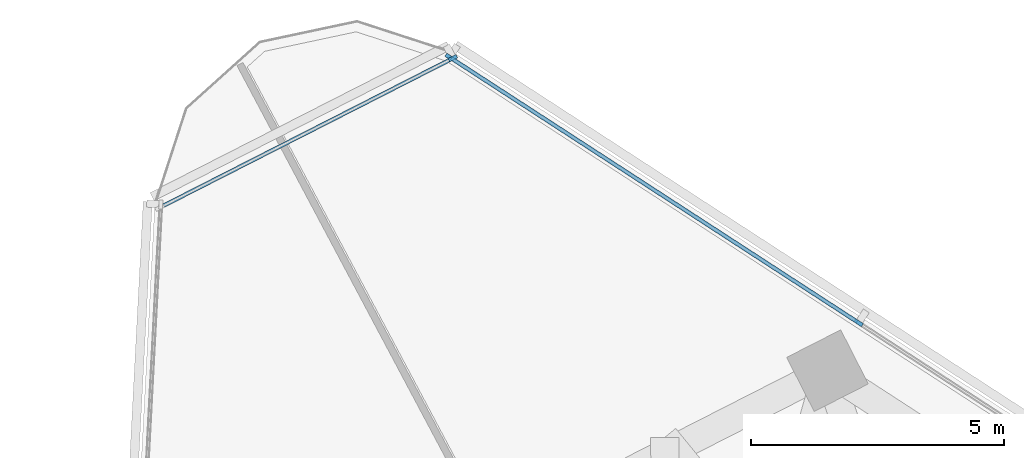
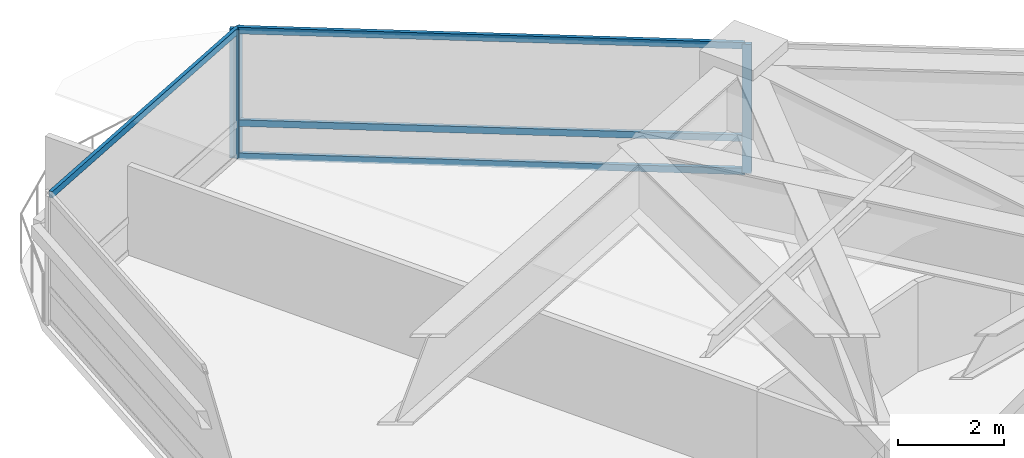
# One storey, part 6 of 15: 7 members, 2 elements without a shape of their own.
"""IFC4 building model written with IfcOpenShell, lengths in metres."""

import ifcopenshell
import ifcopenshell.guid

model = None  # the IFC model being written
_history = None  # IfcOwnerHistory: only IFC2X3 demands one
_inside = {}  # id of a spatial element -> (the spatial element, [elements in it])
_under = {}  # id of a project, library or spatial element -> (it, [spatial elements below it])
_declared = {}  # id of a project -> (the project, [libraries it declares])
_typed = {}  # id of a type object -> (the type object, [elements of that type])
_made_of = {}  # id of a material, layer set ... -> (it, [elements and type objects made of it])


def new_model(schema):
    """Start an empty IFC model of exactly this schema.

    Asked for "IFC4X3", IfcOpenShell would pick the latest addendum, in which some entities
    have other attributes; the version numbers below select the first issue.
    IFC2X3 requires an IfcOwnerHistory on every rooted entity: one is made here for all.
    """
    global model, _history
    if schema == "IFC4X3":
        model = ifcopenshell.file(schema_version=(4, 3, 0, 0))
    else:
        model = ifcopenshell.file(schema=schema)
    _inside.clear()
    _under.clear()
    _declared.clear()
    _typed.clear()
    _made_of.clear()
    _history = None
    if model.schema == "IFC2X3":
        org = make("IfcOrganization", Name="unknown")
        user = make(
            "IfcPersonAndOrganization",
            ThePerson=make("IfcPerson", FamilyName="unknown"),
            TheOrganization=org,
        )
        app = make(
            "IfcApplication",
            ApplicationDeveloper=org,
            Version="unknown",
            ApplicationFullName="unknown",
            ApplicationIdentifier="unknown",
        )
        _history = make(
            "IfcOwnerHistory",
            OwningUser=user,
            OwningApplication=app,
            ChangeAction="ADDED",
            CreationDate=0,
        )
    return model


def make(cls, **values):
    """One entity of the class cls with the attributes given. An attribute that is None is left unset."""
    return model.create_entity(
        cls, **{name: value for name, value in values.items() if value is not None}
    )


def rooted(cls, **values):
    """An entity with a GlobalId (a new one), such as an element, a storey or a relation."""
    return make(cls, GlobalId=ifcopenshell.guid.new(), OwnerHistory=_history, **values)


def si_unit(unit_type, name, prefix=None):
    """IfcSIUnit, for example si_unit("LENGTHUNIT", "METRE", prefix="MILLI")."""
    return make("IfcSIUnit", UnitType=unit_type, Prefix=prefix, Name=name)


def assignment(units):
    """IfcUnitAssignment: the units of a project."""
    return None if units is None else make("IfcUnitAssignment", Units=units)


def point(xyz):
    """IfcCartesianPoint."""
    return None if xyz is None else make("IfcCartesianPoint", Coordinates=xyz)


def direction(xyz):
    """IfcDirection."""
    return None if xyz is None else make("IfcDirection", DirectionRatios=xyz)


def frame(location, z_axis=None, x_axis=None):
    """IfcAxis2Placement3D, a coordinate frame: its origin and axes. An axis left out is left unset."""
    return make(
        "IfcAxis2Placement3D",
        Location=point(location),
        Axis=direction(z_axis),
        RefDirection=direction(x_axis),
    )


def frame_2d(location, x_axis=None):
    """IfcAxis2Placement2D, a coordinate frame in the plane: its origin and x axis."""
    return make(
        "IfcAxis2Placement2D", Location=point(location), RefDirection=direction(x_axis)
    )


def origin():
    """The frame at (0, 0, 0) with its axes left unset."""
    return frame((0.0, 0.0, 0.0))


def origin_2d():
    """The frame at (0, 0) in the plane with its x axis left unset."""
    return frame_2d((0.0, 0.0))


def place(relative_to, where):
    """IfcLocalPlacement: puts the frame where relative to a parent placement (None: the world)."""
    return make(
        "IfcLocalPlacement", PlacementRelTo=relative_to, RelativePlacement=where
    )


def context(
    kind, dimensions, precision=None, world=None, true_north=None, identifier=None
):
    """IfcGeometricRepresentationContext, for example the 3D "Model" context."""
    return make(
        "IfcGeometricRepresentationContext",
        ContextIdentifier=identifier,
        ContextType=kind,
        CoordinateSpaceDimension=dimensions,
        Precision=precision,
        WorldCoordinateSystem=world,
        TrueNorth=true_north,
    )


def subcontext(parent, identifier, kind, view, scale=None):
    """IfcGeometricRepresentationSubContext, for example "Body" below "Model"."""
    return make(
        "IfcGeometricRepresentationSubContext",
        ContextIdentifier=identifier,
        ContextType=kind,
        ParentContext=parent,
        TargetScale=scale,
        TargetView=view,
    )


def project(units=None, contexts=None):
    """IfcProject with its units and contexts."""
    return rooted(
        "IfcProject",
        Name="project",
        RepresentationContexts=contexts,
        UnitsInContext=assignment(units),
    )


def spatial(cls, under=None, at=None, **own):
    """A site, building, storey or space (cls), placed at a placement, below another one or the project."""
    s = rooted(cls, ObjectPlacement=at, **own)
    if under is not None:
        _under.setdefault(under.id(), (under, []))[1].append(s)
    return s


def profile(cls, at=None, kind="AREA", **sizes):
    """A parametric profile (cls). Its sizes go by their IFC names, for example OverallWidth=200.0."""
    return make(cls, ProfileType=kind, Position=at, **sizes)


def rectangle(**sizes):
    """IfcRectangleProfileDef."""
    return profile("IfcRectangleProfileDef", **sizes)


def extrude(swept, where, along, depth):
    """IfcExtrudedAreaSolid: the profile swept, set in the frame where, extruded along a direction by depth."""
    return make(
        "IfcExtrudedAreaSolid",
        SweptArea=swept,
        Position=where,
        ExtrudedDirection=direction(along),
        Depth=depth,
    )


def shape(context_of_items, identifier, shape_type, items):
    """IfcShapeRepresentation: the items that make up one representation, for example the "Body"."""
    return make(
        "IfcShapeRepresentation",
        ContextOfItems=context_of_items,
        RepresentationIdentifier=identifier,
        RepresentationType=shape_type,
        Items=items,
    )


def material(Name=None, Category=None):
    """IfcMaterial."""
    return make("IfcMaterial", Name=Name, Category=Category)


def layer(
    of_material, thickness, ventilated=None, Name=None, Category=None, Priority=None
):
    """IfcMaterialLayer: one layer of a wall or slab, of a material (None: an air gap)."""
    return make(
        "IfcMaterialLayer",
        Material=of_material,
        LayerThickness=thickness,
        IsVentilated=ventilated,
        Name=Name,
        Category=Category,
        Priority=Priority,
    )


def layer_set(layers, Name=None):
    """IfcMaterialLayerSet."""
    return make("IfcMaterialLayerSet", MaterialLayers=layers, LayerSetName=Name)


def material_profile(
    of_material, cross_section, Name=None, Category=None, Priority=None
):
    """IfcMaterialProfile: a cross section and its material."""
    return make(
        "IfcMaterialProfile",
        Name=Name,
        Material=of_material,
        Profile=cross_section,
        Priority=Priority,
        Category=Category,
    )


def profile_set(profiles, Name=None, composite=None):
    """IfcMaterialProfileSet."""
    return make(
        "IfcMaterialProfileSet",
        Name=Name,
        MaterialProfiles=profiles,
        CompositeProfile=composite,
    )


def made_of(thing, what):
    """Note that an element or type object is made of a material, layer set ...; save() writes the relation."""
    if what is not None:
        _made_of.setdefault(what.id(), (what, []))[1].append(thing)
    return thing


def type_object(cls, material=None, **own):
    """A type object (cls), such as IfcWallType, which elements share."""
    return made_of(rooted(cls, **own), material)


def element(
    cls,
    number,
    at=None,
    inside=None,
    cuts=None,
    type_object=None,
    material=None,
    context=None,
    identifier="Body",
    shape_type=None,
    held_by="IfcProductDefinitionShape",
    body=None,
    shapes=None,
    **own,
):
    """One element of the class cls, such as IfcWall. Its Tag is "e" and its number.

    at: its placement. inside: the storey or other place that contains it. cuts: it is an
    opening in that element (IfcRelVoidsElement). A single representation is given by context,
    identifier, shape_type and body (its items); several are given by shapes. held_by: the class
    of the entity that holds the representations. save() writes the other relations.
    """
    e = rooted(cls, Tag="e%d" % number, ObjectPlacement=at, **own)
    if body is not None:
        shapes = [shape(context, identifier, shape_type, body)]
    if shapes is not None:
        e.Representation = make(held_by, Representations=shapes)
    if inside is not None:
        _inside.setdefault(inside.id(), (inside, []))[1].append(e)
    if cuts is not None:
        rooted(
            "IfcRelVoidsElement", RelatingBuildingElement=cuts, RelatedOpeningElement=e
        )
    if type_object is not None:
        _typed.setdefault(type_object.id(), (type_object, []))[1].append(e)
    return made_of(e, material)


def aggregate(whole, parts):
    """IfcRelAggregates: a whole, such as a stair, and the parts it consists of."""
    return rooted("IfcRelAggregates", RelatingObject=whole, RelatedObjects=parts)


def save(model, path):
    """Write the relations noted so far, then the file.

    IfcRelAggregates (storeys below a building ...), IfcRelContainedInSpatialStructure (elements
    in a storey), IfcRelDefinesByType, IfcRelAssociatesMaterial and IfcRelDeclares: one each for
    every whole, place, type object, material and project.
    """
    for whole, parts in _under.values():
        aggregate(whole, parts)
    for where, things in _inside.values():
        rooted(
            "IfcRelContainedInSpatialStructure",
            RelatedElements=things,
            RelatingStructure=where,
        )
    for kind, things in _typed.values():
        rooted("IfcRelDefinesByType", RelatedObjects=things, RelatingType=kind)
    for what, things in _made_of.values():
        rooted("IfcRelAssociatesMaterial", RelatedObjects=things, RelatingMaterial=what)
    for by, libraries in _declared.values():
        rooted("IfcRelDeclares", RelatingContext=by, RelatedDefinitions=libraries)
    model.write(path)


model = new_model("IFC4")

# Units and contexts
model_context = context("Model", 3, precision=1e-05, world=origin(), true_north=direction((0.0, 1.0)))
body_context = subcontext(model_context, "Body", "Model", "MODEL_VIEW")
ifc_project = project(units=[si_unit("LENGTHUNIT", "METRE"), si_unit("AREAUNIT", "SQUARE_METRE"), si_unit("VOLUMEUNIT", "CUBIC_METRE"), si_unit("PLANEANGLEUNIT", "RADIAN"), si_unit("MASSUNIT", "GRAM", prefix="KILO")], contexts=[model_context])

# Site, building, storey
site_placement = place(None, origin())
site = spatial("IfcSite", under=ifc_project, at=site_placement, CompositionType="ELEMENT")
building_placement = place(site_placement, origin())
building = spatial("IfcBuilding", under=site, at=building_placement, Name="Terralouvre Media Tower", CompositionType="ELEMENT")
storey_placement = place(building_placement, frame((0.0, 0.0, 145.800048828125)))
storey = spatial("IfcBuildingStorey", under=building, at=storey_placement, Name="L37", CompositionType="ELEMENT", Elevation=145.800048828125)

# Curtain wall, members
ifc_material_1 = material(Name="Low-iron laminated double glazing with solar-control coating", Category="glass")
ifc_layer_1 = layer(ifc_material_1, 0.1650390625, Name="Production Studio Tower Curtain Wall CW-03")
ifc_layer_set_1 = layer_set([ifc_layer_1], Name="Low-iron laminated double glazing with solar-control coating")
curtain_wall_type_1 = type_object("IfcCurtainWallType", Name="Production Studio Tower Curtain Wall CW-03", PredefinedType="NOTDEFINED", material=ifc_layer_set_1)
curtain_wall_1_placement = place(storey_placement, origin())
curtain_wall_1 = element("IfcCurtainWall", 1, at=curtain_wall_1_placement, inside=storey, type_object=curtain_wall_type_1, Name="L37 Facade Curtain Wall F1", PredefinedType="NOTDEFINED")
ifc_material_2 = material(Name="Anodised extruded aluminium 6063-T6", Category="aluminium")
ifc_material_profile_1 = material_profile(ifc_material_2, rectangle(XDim=0.074951171875, YDim=0.14990234375, at=origin_2d()), Name="ALU 75x150")
ifc_profile_set_1 = profile_set([ifc_material_profile_1], Name="Anodised extruded aluminium 6063-T6")
member_type_1 = type_object("IfcMemberType", Name="Curtain-Wall Horizontal Transom TR-150", PredefinedType="USERDEFINED", material=ifc_profile_set_1)
member_1_placement = place(storey_placement, frame((-2.594970703125, 22.732666015625, 0.037353515625), z_axis=(-0.838671492993, 0.544637610565, 0.0), x_axis=(-0.544637610565, -0.838671492993, 0.0)))
member_1 = element("IfcMember", 2, at=member_1_placement, type_object=member_type_1, Name="CW-03 transom 5.1", ObjectType="TRANSOM", PredefinedType="USERDEFINED", context=body_context, shape_type="SweptSolid", body=[
    extrude(rectangle(XDim=0.074951171875, YDim=0.14990234375, at=origin_2d()), origin(), (0.0, 0.0, 1.0), 9.567626953125),
])
member_2_placement = place(storey_placement, frame((-2.594970703125, 22.732666015625, 0.800048828125), z_axis=(-0.838671492993, 0.544637610565, 0.0), x_axis=(-0.544637610565, -0.838671492993, 0.0)))
member_2 = element("IfcMember", 3, at=member_2_placement, type_object=member_type_1, Name="CW-03 transom 5.2", ObjectType="TRANSOM", PredefinedType="USERDEFINED", context=body_context, shape_type="SweptSolid", body=[
    extrude(rectangle(XDim=0.074951171875, YDim=0.14990234375, at=origin_2d()), origin(), (0.0, 0.0, 1.0), 9.567626953125),
])
member_3_placement = place(storey_placement, frame((-2.594970703125, 22.732666015625, 2.92236328125), z_axis=(-0.838671492993, 0.544637610565, 0.0), x_axis=(-0.544637610565, -0.838671492993, 0.0)))
member_3 = element("IfcMember", 4, at=member_3_placement, type_object=member_type_1, Name="CW-03 transom 5.3", ObjectType="TRANSOM", PredefinedType="USERDEFINED", context=body_context, shape_type="SweptSolid", body=[
    extrude(rectangle(XDim=0.074951171875, YDim=0.14990234375, at=origin_2d()), origin(), (0.0, 0.0, 1.0), 9.567626953125),
])

# Curtain wall, member
ifc_material_3 = material(Name="Low-iron laminated double glazing with solar-control coating", Category="glass")
ifc_layer_2 = layer(ifc_material_3, 0.1650390625, Name="Rounded Wind-Corner Curved Glazing CW-04")
ifc_layer_set_2 = layer_set([ifc_layer_2], Name="Low-iron laminated double glazing with solar-control coating")
curtain_wall_type_2 = type_object("IfcCurtainWallType", Name="Rounded Wind-Corner Curved Glazing CW-04", PredefinedType="NOTDEFINED", material=ifc_layer_set_2)
curtain_wall_2_placement = place(storey_placement, origin())
curtain_wall_2 = element("IfcCurtainWall", 5, at=curtain_wall_2_placement, inside=storey, type_object=curtain_wall_type_2, Name="L37 Rounded Wind-Corner Curtain Wall C2", PredefinedType="NOTDEFINED")
member_4_placement = place(storey_placement, frame((-10.619873046875, 27.92626953125, 2.92236328125), z_axis=(-0.891007919555, -0.453987761167, 0.0), x_axis=(0.453987761167, -0.891007919555, 0.0)))
member_4 = element("IfcMember", 6, at=member_4_placement, type_object=member_type_1, Name="CW-04 transom 1.3", ObjectType="TRANSOM", PredefinedType="USERDEFINED", context=body_context, shape_type="SweptSolid", body=[
    extrude(rectangle(XDim=0.074951171875, YDim=0.14990234375, at=origin_2d()), origin(), (0.0, 0.0, 1.0), 6.431640625),
])

# Member
ifc_material_4 = material(Name="Anodised extruded aluminium 6063-T6", Category="aluminium")
ifc_material_profile_2 = material_profile(ifc_material_4, rectangle(XDim=0.074951171875, YDim=0.179931640625, at=origin_2d()), Name="ALU 75x180")
ifc_profile_set_2 = profile_set([ifc_material_profile_2], Name="Anodised extruded aluminium 6063-T6")
member_type_2 = type_object("IfcMemberType", Name="Curtain-Wall Vertical Mullion ML-180", PredefinedType="MULLION", material=ifc_profile_set_2)
member_5_placement = place(storey_placement, frame((-2.5634765625, 22.712158203125, 0.0), z_axis=(0.0, 0.0, 1.0), x_axis=(-0.544639002681, -0.838670588944, 0.0)))
member_5 = element("IfcMember", 7, at=member_5_placement, type_object=member_type_2, Name="CW-03 mullion 5", PredefinedType="MULLION", context=body_context, shape_type="SweptSolid", body=[
    extrude(rectangle(XDim=0.074951171875, YDim=0.179931640625, at=origin_2d()), origin(), (0.0, 0.0, 1.0), 2.9599609375),
])

member_6_placement = place(storey_placement, frame((-10.650390625, 27.9638671875, 0.0), z_axis=(0.0, 0.0, 1.0), x_axis=(-0.544639002681, -0.838670588944, 0.0)))
member_6 = element("IfcMember", 8, at=member_6_placement, type_object=member_type_2, Name="CW-03 mullion 6", PredefinedType="MULLION", context=body_context, shape_type="SweptSolid", body=[
    extrude(rectangle(XDim=0.074951171875, YDim=0.179931640625, at=origin_2d()), origin(), (0.0, 0.0, 1.0), 2.9599609375),
])

aggregate(curtain_wall_1, [member_5, member_6, member_1, member_2, member_3])

member_7_placement = place(storey_placement, frame((-10.58642578125, 27.943359375, 0.0), z_axis=(0.0, 0.0, 1.0), x_axis=(0.45399035059, -0.891006600184, 0.0)))
member_7 = element("IfcMember", 9, at=member_7_placement, type_object=member_type_2, Name="CW-04 mullion 1", PredefinedType="MULLION", context=body_context, shape_type="SweptSolid", body=[
    extrude(rectangle(XDim=0.074951171875, YDim=0.179931640625, at=origin_2d()), origin(), (0.0, 0.0, 1.0), 2.9599609375),
])

aggregate(curtain_wall_2, [member_7, member_4])

save(model, "model.ifc")
